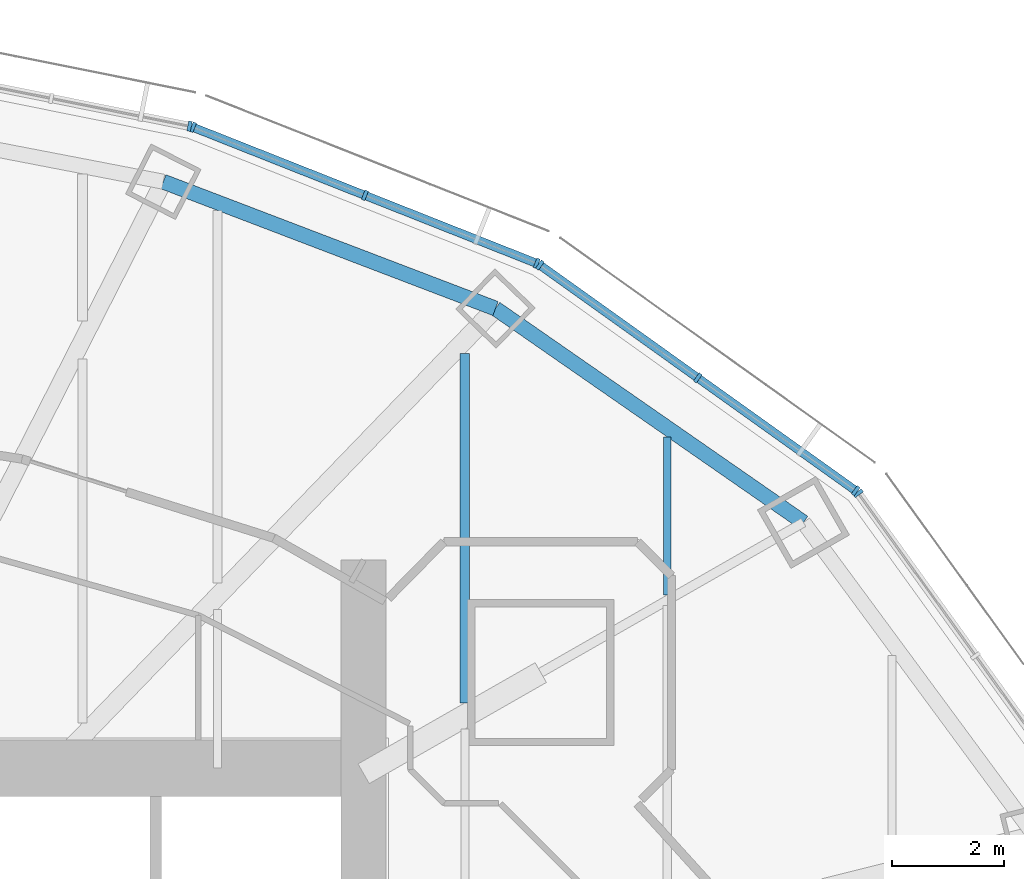
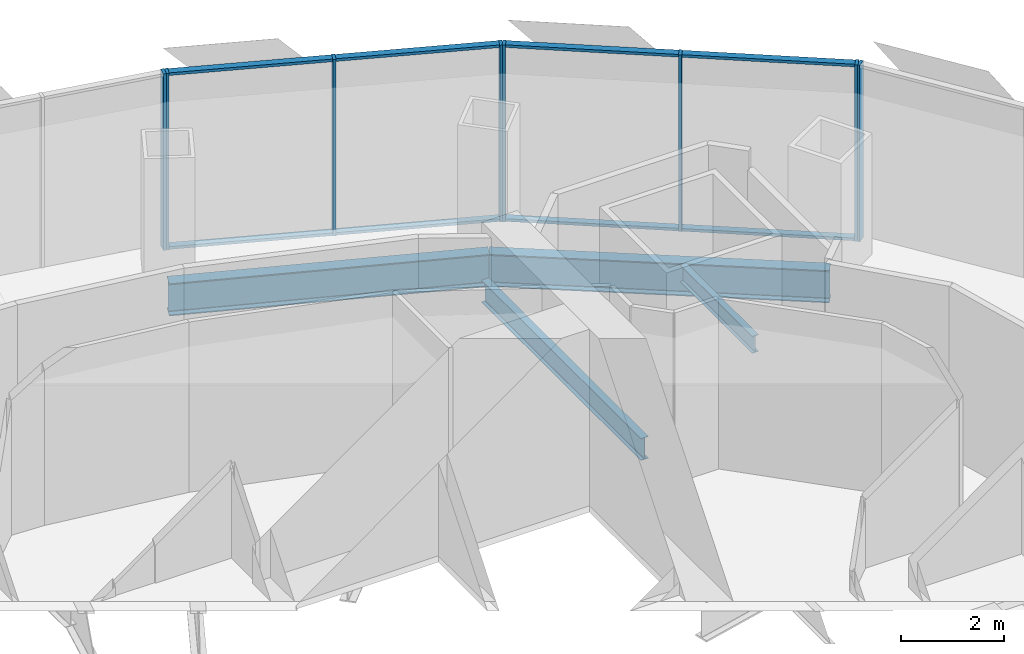
# One storey, part 9 of 18: 16 members, 4 beams, 4 elements without a shape of their own.
"""IFC4 building model written with IfcOpenShell, lengths in metres."""

import ifcopenshell
import ifcopenshell.guid

model = None  # the IFC model being written
_history = None  # IfcOwnerHistory: only IFC2X3 demands one
_inside = {}  # id of a spatial element -> (the spatial element, [elements in it])
_under = {}  # id of a project, library or spatial element -> (it, [spatial elements below it])
_declared = {}  # id of a project -> (the project, [libraries it declares])
_typed = {}  # id of a type object -> (the type object, [elements of that type])
_made_of = {}  # id of a material, layer set ... -> (it, [elements and type objects made of it])


def new_model(schema):
    """Start an empty IFC model of exactly this schema.

    Asked for "IFC4X3", IfcOpenShell would pick the latest addendum, in which some entities
    have other attributes; the version numbers below select the first issue.
    IFC2X3 requires an IfcOwnerHistory on every rooted entity: one is made here for all.
    """
    global model, _history
    if schema == "IFC4X3":
        model = ifcopenshell.file(schema_version=(4, 3, 0, 0))
    else:
        model = ifcopenshell.file(schema=schema)
    _inside.clear()
    _under.clear()
    _declared.clear()
    _typed.clear()
    _made_of.clear()
    _history = None
    if model.schema == "IFC2X3":
        org = make("IfcOrganization", Name="unknown")
        user = make(
            "IfcPersonAndOrganization",
            ThePerson=make("IfcPerson", FamilyName="unknown"),
            TheOrganization=org,
        )
        app = make(
            "IfcApplication",
            ApplicationDeveloper=org,
            Version="unknown",
            ApplicationFullName="unknown",
            ApplicationIdentifier="unknown",
        )
        _history = make(
            "IfcOwnerHistory",
            OwningUser=user,
            OwningApplication=app,
            ChangeAction="ADDED",
            CreationDate=0,
        )
    return model


def make(cls, **values):
    """One entity of the class cls with the attributes given. An attribute that is None is left unset."""
    return model.create_entity(
        cls, **{name: value for name, value in values.items() if value is not None}
    )


def rooted(cls, **values):
    """An entity with a GlobalId (a new one), such as an element, a storey or a relation."""
    return make(cls, GlobalId=ifcopenshell.guid.new(), OwnerHistory=_history, **values)


def si_unit(unit_type, name, prefix=None):
    """IfcSIUnit, for example si_unit("LENGTHUNIT", "METRE", prefix="MILLI")."""
    return make("IfcSIUnit", UnitType=unit_type, Prefix=prefix, Name=name)


def assignment(units):
    """IfcUnitAssignment: the units of a project."""
    return None if units is None else make("IfcUnitAssignment", Units=units)


def point(xyz):
    """IfcCartesianPoint."""
    return None if xyz is None else make("IfcCartesianPoint", Coordinates=xyz)


def direction(xyz):
    """IfcDirection."""
    return None if xyz is None else make("IfcDirection", DirectionRatios=xyz)


def frame(location, z_axis=None, x_axis=None):
    """IfcAxis2Placement3D, a coordinate frame: its origin and axes. An axis left out is left unset."""
    return make(
        "IfcAxis2Placement3D",
        Location=point(location),
        Axis=direction(z_axis),
        RefDirection=direction(x_axis),
    )


def frame_2d(location, x_axis=None):
    """IfcAxis2Placement2D, a coordinate frame in the plane: its origin and x axis."""
    return make(
        "IfcAxis2Placement2D", Location=point(location), RefDirection=direction(x_axis)
    )


def origin():
    """The frame at (0, 0, 0) with its axes left unset."""
    return frame((0.0, 0.0, 0.0))


def origin_2d():
    """The frame at (0, 0) in the plane with its x axis left unset."""
    return frame_2d((0.0, 0.0))


def place(relative_to, where):
    """IfcLocalPlacement: puts the frame where relative to a parent placement (None: the world)."""
    return make(
        "IfcLocalPlacement", PlacementRelTo=relative_to, RelativePlacement=where
    )


def context(
    kind, dimensions, precision=None, world=None, true_north=None, identifier=None
):
    """IfcGeometricRepresentationContext, for example the 3D "Model" context."""
    return make(
        "IfcGeometricRepresentationContext",
        ContextIdentifier=identifier,
        ContextType=kind,
        CoordinateSpaceDimension=dimensions,
        Precision=precision,
        WorldCoordinateSystem=world,
        TrueNorth=true_north,
    )


def subcontext(parent, identifier, kind, view, scale=None):
    """IfcGeometricRepresentationSubContext, for example "Body" below "Model"."""
    return make(
        "IfcGeometricRepresentationSubContext",
        ContextIdentifier=identifier,
        ContextType=kind,
        ParentContext=parent,
        TargetScale=scale,
        TargetView=view,
    )


def project(units=None, contexts=None):
    """IfcProject with its units and contexts."""
    return rooted(
        "IfcProject",
        Name="project",
        RepresentationContexts=contexts,
        UnitsInContext=assignment(units),
    )


def spatial(cls, under=None, at=None, **own):
    """A site, building, storey or space (cls), placed at a placement, below another one or the project."""
    s = rooted(cls, ObjectPlacement=at, **own)
    if under is not None:
        _under.setdefault(under.id(), (under, []))[1].append(s)
    return s


def profile(cls, at=None, kind="AREA", **sizes):
    """A parametric profile (cls). Its sizes go by their IFC names, for example OverallWidth=200.0."""
    return make(cls, ProfileType=kind, Position=at, **sizes)


def rectangle(**sizes):
    """IfcRectangleProfileDef."""
    return profile("IfcRectangleProfileDef", **sizes)


def i_section(**sizes):
    """IfcIShapeProfileDef."""
    return profile("IfcIShapeProfileDef", **sizes)


def extrude(swept, where, along, depth):
    """IfcExtrudedAreaSolid: the profile swept, set in the frame where, extruded along a direction by depth."""
    return make(
        "IfcExtrudedAreaSolid",
        SweptArea=swept,
        Position=where,
        ExtrudedDirection=direction(along),
        Depth=depth,
    )


def shape(context_of_items, identifier, shape_type, items):
    """IfcShapeRepresentation: the items that make up one representation, for example the "Body"."""
    return make(
        "IfcShapeRepresentation",
        ContextOfItems=context_of_items,
        RepresentationIdentifier=identifier,
        RepresentationType=shape_type,
        Items=items,
    )


def material(Name=None, Category=None):
    """IfcMaterial."""
    return make("IfcMaterial", Name=Name, Category=Category)


def material_profile(
    of_material, cross_section, Name=None, Category=None, Priority=None
):
    """IfcMaterialProfile: a cross section and its material."""
    return make(
        "IfcMaterialProfile",
        Name=Name,
        Material=of_material,
        Profile=cross_section,
        Priority=Priority,
        Category=Category,
    )


def profile_set(profiles, Name=None, composite=None):
    """IfcMaterialProfileSet."""
    return make(
        "IfcMaterialProfileSet",
        Name=Name,
        MaterialProfiles=profiles,
        CompositeProfile=composite,
    )


def made_of(thing, what):
    """Note that an element or type object is made of a material, layer set ...; save() writes the relation."""
    if what is not None:
        _made_of.setdefault(what.id(), (what, []))[1].append(thing)
    return thing


def type_object(cls, material=None, **own):
    """A type object (cls), such as IfcWallType, which elements share."""
    return made_of(rooted(cls, **own), material)


def element(
    cls,
    number,
    at=None,
    inside=None,
    cuts=None,
    type_object=None,
    material=None,
    context=None,
    identifier="Body",
    shape_type=None,
    held_by="IfcProductDefinitionShape",
    body=None,
    shapes=None,
    **own,
):
    """One element of the class cls, such as IfcWall. Its Tag is "e" and its number.

    at: its placement. inside: the storey or other place that contains it. cuts: it is an
    opening in that element (IfcRelVoidsElement). A single representation is given by context,
    identifier, shape_type and body (its items); several are given by shapes. held_by: the class
    of the entity that holds the representations. save() writes the other relations.
    """
    e = rooted(cls, Tag="e%d" % number, ObjectPlacement=at, **own)
    if body is not None:
        shapes = [shape(context, identifier, shape_type, body)]
    if shapes is not None:
        e.Representation = make(held_by, Representations=shapes)
    if inside is not None:
        _inside.setdefault(inside.id(), (inside, []))[1].append(e)
    if cuts is not None:
        rooted(
            "IfcRelVoidsElement", RelatingBuildingElement=cuts, RelatedOpeningElement=e
        )
    if type_object is not None:
        _typed.setdefault(type_object.id(), (type_object, []))[1].append(e)
    return made_of(e, material)


def aggregate(whole, parts):
    """IfcRelAggregates: a whole, such as a stair, and the parts it consists of."""
    return rooted("IfcRelAggregates", RelatingObject=whole, RelatedObjects=parts)


def save(model, path):
    """Write the relations noted so far, then the file.

    IfcRelAggregates (storeys below a building ...), IfcRelContainedInSpatialStructure (elements
    in a storey), IfcRelDefinesByType, IfcRelAssociatesMaterial and IfcRelDeclares: one each for
    every whole, place, type object, material and project.
    """
    for whole, parts in _under.values():
        aggregate(whole, parts)
    for where, things in _inside.values():
        rooted(
            "IfcRelContainedInSpatialStructure",
            RelatedElements=things,
            RelatingStructure=where,
        )
    for kind, things in _typed.values():
        rooted("IfcRelDefinesByType", RelatedObjects=things, RelatingType=kind)
    for what, things in _made_of.values():
        rooted("IfcRelAssociatesMaterial", RelatedObjects=things, RelatingMaterial=what)
    for by, libraries in _declared.values():
        rooted("IfcRelDeclares", RelatingContext=by, RelatedDefinitions=libraries)
    model.write(path)


model = new_model("IFC4")

# Units and contexts
model_context = context("Model", 3, precision=1e-05, world=origin(), true_north=direction((0.0, 1.0)))
body_context = subcontext(model_context, "Body", "Model", "MODEL_VIEW")
ifc_project = project(units=[si_unit("LENGTHUNIT", "METRE"), si_unit("AREAUNIT", "SQUARE_METRE"), si_unit("VOLUMEUNIT", "CUBIC_METRE"), si_unit("PLANEANGLEUNIT", "RADIAN"), si_unit("MASSUNIT", "GRAM", prefix="KILO")], contexts=[model_context])

# Site, building, storey
site_placement = place(None, origin())
site = spatial("IfcSite", under=ifc_project, at=site_placement, CompositionType="ELEMENT")
building_placement = place(site_placement, origin())
building = spatial("IfcBuilding", under=site, at=building_placement, Name="Lantaw Convention Tower", CompositionType="ELEMENT")
storey_placement = place(building_placement, frame((0.0, 0.0, 262.0)))
storey = spatial("IfcBuildingStorey", under=building, at=storey_placement, Name="L61", CompositionType="ELEMENT", Elevation=262.0)

# Beams
ifc_material_1 = material(Name="Steel ASTM A992", Category="steel")
ifc_material_profile_1 = material_profile(ifc_material_1, i_section(OverallWidth=0.2666015625, OverallDepth=0.76953125, WebThickness=0.015625, FlangeThickness=0.025390625, FilletRadius=0.0126953125, at=origin_2d()), Name="W30X132")
ifc_profile_set_1 = profile_set([ifc_material_profile_1], Name="Steel ASTM A992")
beam_type_1 = type_object("IfcBeamType", Name="Beam E W30X132", PredefinedType="SPANDREL", material=ifc_profile_set_1)
beam_1_placement = place(storey_placement, frame((20.423095703125, 11.67041015625, -0.534912109375), z_axis=(-0.82135329406, 0.570419815869, 0.0), x_axis=(-0.570419815869, -0.82135329406, 0.0)))
element("IfcBeam", 1, at=beam_1_placement, inside=storey, type_object=beam_type_1, Name="Edge beam 3", PredefinedType="SPANDREL", context=body_context, shape_type="SweptSolid", body=[
    extrude(i_section(OverallWidth=0.2666015625, OverallDepth=0.76953125, WebThickness=0.015625, FlangeThickness=0.025390625, FilletRadius=0.0126953125, at=origin_2d()), origin(), (0.0, 0.0, 1.0), 6.67041015625),
])
beam_2_placement = place(storey_placement, frame((14.9443359375, 15.475341796875, -0.534912109375), z_axis=(-0.934234988, 0.356658081637, 0.0), x_axis=(-0.356658081637, -0.934234988, 0.0)))
element("IfcBeam", 2, at=beam_2_placement, inside=storey, type_object=beam_type_1, Name="Edge beam 4", PredefinedType="SPANDREL", context=body_context, shape_type="SweptSolid", body=[
    extrude(i_section(OverallWidth=0.2666015625, OverallDepth=0.76953125, WebThickness=0.015625, FlangeThickness=0.025390625, FilletRadius=0.0126953125, at=origin_2d()), origin(), (0.0, 0.0, 1.0), 6.32568359375),
])
ifc_material_profile_2 = material_profile(ifc_material_1, i_section(OverallWidth=0.140380859375, OverallDepth=0.40380859375, WebThickness=0.007080078125, FlangeThickness=0.01123046875, FilletRadius=0.01025390625, at=origin_2d()), Name="W16X31")
ifc_profile_set_2 = profile_set([ifc_material_profile_2], Name="Steel ASTM A992")
beam_type_2 = type_object("IfcBeamType", Name="Beam J W16X31", PredefinedType="JOIST", material=ifc_profile_set_2)
beam_3_placement = place(storey_placement, frame((18.0, 10.380859375, -0.35205078125), z_axis=(0.0, 1.0, 0.0), x_axis=(-1.0, 0.0, 0.0)))
element("IfcBeam", 3, at=beam_3_placement, inside=storey, type_object=beam_type_2, Name="Floor joist", PredefinedType="JOIST", context=body_context, shape_type="SweptSolid", body=[
    extrude(i_section(OverallWidth=0.140380859375, OverallDepth=0.40380859375, WebThickness=0.007080078125, FlangeThickness=0.01123046875, FilletRadius=0.01025390625, at=origin_2d()), origin(), (0.0, 0.0, 1.0), 2.81005859375),
])
ifc_material_profile_3 = material_profile(ifc_material_1, i_section(OverallWidth=0.1650390625, OverallDepth=0.52587890625, WebThickness=0.0087890625, FlangeThickness=0.011474609375, FilletRadius=0.0126953125, at=origin_2d()), Name="W21X44")
ifc_profile_set_3 = profile_set([ifc_material_profile_3], Name="Steel ASTM A992")
beam_type_3 = type_object("IfcBeamType", Name="Beam J W21X44", PredefinedType="JOIST", material=ifc_profile_set_3)
beam_4_placement = place(storey_placement, frame((14.39990234375, 8.461181640625, -0.412841796875), z_axis=(0.0, 1.0, 0.0), x_axis=(-1.0, 0.0, 0.0)))
element("IfcBeam", 4, at=beam_4_placement, inside=storey, type_object=beam_type_3, Name="Floor joist", PredefinedType="JOIST", context=body_context, shape_type="SweptSolid", body=[
    extrude(i_section(OverallWidth=0.1650390625, OverallDepth=0.52587890625, WebThickness=0.0087890625, FlangeThickness=0.011474609375, FilletRadius=0.0126953125, at=origin_2d()), origin(), (0.0, 0.0, 1.0), 6.214599609375),
])

# Curtain wall, member
ifc_material_2 = material(Name="Aluminium framed curtain wall", Category="aluminium")
curtain_wall_type = type_object("IfcCurtainWallType", Name="Office curtain wall high rise, pale aluminium", PredefinedType="USERDEFINED", material=ifc_material_2)
curtain_wall_1_placement = place(storey_placement, origin())
curtain_wall_1 = element("IfcCurtainWall", 5, at=curtain_wall_1_placement, inside=storey, type_object=curtain_wall_type, Name="Office curtain wall high rise, pale aluminium L61", ObjectType="UNITISED CURTAIN WALL", PredefinedType="USERDEFINED")
ifc_material_3 = material(Name="Aluminium 6063-T6", Category="aluminium")
ifc_material_profile_4 = material_profile(ifc_material_3, rectangle(XDim=0.179931640625, YDim=0.06494140625, at=origin_2d()), Name="CW-O2 mullion 65x180")
ifc_profile_set_4 = profile_set([ifc_material_profile_4], Name="Aluminium 6063-T6")
member_type_1 = type_object("IfcMemberType", Name="CW-O2 mullion 65x180", PredefinedType="MULLION", material=ifc_profile_set_4)
member_1_placement = place(storey_placement, frame((21.397216796875, 12.189697265625, -0.14990234375), z_axis=(0.0, 0.0, 1.0), x_axis=(-0.810919559405, -0.585157643865, 0.0)))
member_1 = element("IfcMember", 6, at=member_1_placement, type_object=member_type_1, Name="CW-O2 mullion 3", PredefinedType="MULLION", context=body_context, shape_type="SweptSolid", body=[
    extrude(rectangle(XDim=0.179931640625, YDim=0.06494140625, at=origin_2d()), origin(), (0.0, 0.0, 1.0), 4.199951171875),
])
aggregate(curtain_wall_1, [member_1])

# Curtain wall, members
curtain_wall_2_placement = place(storey_placement, origin())
curtain_wall_2 = element("IfcCurtainWall", 7, at=curtain_wall_2_placement, inside=storey, type_object=curtain_wall_type, Name="Office curtain wall high rise, pale aluminium L61", ObjectType="UNITISED CURTAIN WALL", PredefinedType="USERDEFINED")
member_2_placement = place(storey_placement, frame((21.3515625, 12.23486328125, -0.14990234375), z_axis=(0.0, 0.0, 1.0), x_axis=(-0.581323487281, -0.813672540482, 0.0)))
member_2 = element("IfcMember", 8, at=member_2_placement, type_object=member_type_1, Name="CW-O2 mullion 1", PredefinedType="MULLION", context=body_context, shape_type="SweptSolid", body=[
    extrude(rectangle(XDim=0.179931640625, YDim=0.06494140625, at=origin_2d()), origin(), (0.0, 0.0, 1.0), 4.199951171875),
])
member_3_placement = place(storey_placement, frame((18.543212890625, 14.241455078125, -0.14990234375), z_axis=(0.0, 0.0, 1.0), x_axis=(-0.581323487281, -0.813672540482, 0.0)))
member_3 = element("IfcMember", 9, at=member_3_placement, type_object=member_type_1, Name="CW-O2 mullion 2", PredefinedType="MULLION", context=body_context, shape_type="SweptSolid", body=[
    extrude(rectangle(XDim=0.179931640625, YDim=0.06494140625, at=origin_2d()), origin(), (0.0, 0.0, 1.0), 4.199951171875),
])
member_4_placement = place(storey_placement, frame((15.73486328125, 16.247802734375, -0.14990234375), z_axis=(0.0, 0.0, 1.0), x_axis=(-0.581323487281, -0.813672540482, 0.0)))
member_4 = element("IfcMember", 10, at=member_4_placement, type_object=member_type_1, Name="CW-O2 mullion 3", PredefinedType="MULLION", context=body_context, shape_type="SweptSolid", body=[
    extrude(rectangle(XDim=0.179931640625, YDim=0.06494140625, at=origin_2d()), origin(), (0.0, 0.0, 1.0), 4.199951171875),
])

curtain_wall_3_placement = place(storey_placement, origin())
curtain_wall_3 = element("IfcCurtainWall", 11, at=curtain_wall_3_placement, inside=storey, type_object=curtain_wall_type, Name="Office curtain wall high rise, pale aluminium L61", ObjectType="UNITISED CURTAIN WALL", PredefinedType="USERDEFINED")
member_5_placement = place(storey_placement, frame((15.67822265625, 16.278564453125, -0.14990234375), z_axis=(0.0, 0.0, 1.0), x_axis=(-0.368162315252, -0.929761533743, 0.0)))
member_5 = element("IfcMember", 12, at=member_5_placement, type_object=member_type_1, Name="CW-O2 mullion 1", PredefinedType="MULLION", context=body_context, shape_type="SweptSolid", body=[
    extrude(rectangle(XDim=0.179931640625, YDim=0.06494140625, at=origin_2d()), origin(), (0.0, 0.0, 1.0), 4.199951171875),
])
member_6_placement = place(storey_placement, frame((12.621337890625, 17.4892578125, -0.14990234375), z_axis=(0.0, 0.0, 1.0), x_axis=(-0.368162315252, -0.929761533743, 0.0)))
member_6 = element("IfcMember", 13, at=member_6_placement, type_object=member_type_1, Name="CW-O2 mullion 2", PredefinedType="MULLION", context=body_context, shape_type="SweptSolid", body=[
    extrude(rectangle(XDim=0.179931640625, YDim=0.06494140625, at=origin_2d()), origin(), (0.0, 0.0, 1.0), 4.199951171875),
])
member_7_placement = place(storey_placement, frame((9.564208984375, 18.69970703125, -0.14990234375), z_axis=(0.0, 0.0, 1.0), x_axis=(-0.368162315252, -0.929761533743, 0.0)))
member_7 = element("IfcMember", 14, at=member_7_placement, type_object=member_type_1, Name="CW-O2 mullion 3", PredefinedType="MULLION", context=body_context, shape_type="SweptSolid", body=[
    extrude(rectangle(XDim=0.179931640625, YDim=0.06494140625, at=origin_2d()), origin(), (0.0, 0.0, 1.0), 4.199951171875),
])

# Curtain wall, member
curtain_wall_4_placement = place(storey_placement, origin())
curtain_wall_4 = element("IfcCurtainWall", 15, at=curtain_wall_4_placement, inside=storey, type_object=curtain_wall_type, Name="Office curtain wall high rise, pale aluminium L61", ObjectType="UNITISED CURTAIN WALL", PredefinedType="USERDEFINED")
member_8_placement = place(storey_placement, frame((9.502197265625, 18.718017578125, -0.14990234375), z_axis=(0.0, 0.0, 1.0), x_axis=(-0.197183095987, -0.980366679695, 0.0)))
member_8 = element("IfcMember", 16, at=member_8_placement, type_object=member_type_1, Name="CW-O2 mullion 1", PredefinedType="MULLION", context=body_context, shape_type="SweptSolid", body=[
    extrude(rectangle(XDim=0.179931640625, YDim=0.06494140625, at=origin_2d()), origin(), (0.0, 0.0, 1.0), 4.199951171875),
])
aggregate(curtain_wall_4, [member_8])

# Member
ifc_material_profile_5 = material_profile(ifc_material_3, rectangle(XDim=0.14990234375, YDim=0.06494140625, at=origin_2d()), Name="CW-O2 transom 65x150")
ifc_profile_set_5 = profile_set([ifc_material_profile_5], Name="Aluminium 6063-T6")
member_type_2 = type_object("IfcMemberType", Name="CW-O2 transom 65x150", PredefinedType="USERDEFINED", material=ifc_profile_set_5)
member_9_placement = place(storey_placement, frame((21.3251953125, 12.25390625, -0.117431640625), z_axis=(-0.813679882592, 0.581313210468, 0.0), x_axis=(-0.581313210468, -0.813679882592, 0.0)))
member_9 = element("IfcMember", 17, at=member_9_placement, type_object=member_type_2, Name="CW-O2 transom 1.1", ObjectType="TRANSOM", PredefinedType="USERDEFINED", context=body_context, shape_type="SweptSolid", body=[
    extrude(rectangle(XDim=0.14990234375, YDim=0.06494140625, at=origin_2d()), origin(), (0.0, 0.0, 1.0), 3.38623046875),
])

member_10_placement = place(storey_placement, frame((21.3251953125, 12.25390625, 4.017578125), z_axis=(-0.813679882592, 0.581313210468, 0.0), x_axis=(-0.581313210468, -0.813679882592, 0.0)))
member_10 = element("IfcMember", 18, at=member_10_placement, type_object=member_type_2, Name="CW-O2 transom 1.2", ObjectType="TRANSOM", PredefinedType="USERDEFINED", context=body_context, shape_type="SweptSolid", body=[
    extrude(rectangle(XDim=0.14990234375, YDim=0.06494140625, at=origin_2d()), origin(), (0.0, 0.0, 1.0), 3.38623046875),
])

member_11_placement = place(storey_placement, frame((18.516845703125, 14.26025390625, -0.117431640625), z_axis=(-0.813645780821, 0.581360940683, 0.0), x_axis=(-0.581360940683, -0.813645780821, 0.0)))
member_11 = element("IfcMember", 19, at=member_11_placement, type_object=member_type_2, Name="CW-O2 transom 2.1", ObjectType="TRANSOM", PredefinedType="USERDEFINED", context=body_context, shape_type="SweptSolid", body=[
    extrude(rectangle(XDim=0.14990234375, YDim=0.06494140625, at=origin_2d()), origin(), (0.0, 0.0, 1.0), 3.386474609375),
])

member_12_placement = place(storey_placement, frame((18.516845703125, 14.26025390625, 4.017578125), z_axis=(-0.813645780821, 0.581360940683, 0.0), x_axis=(-0.581360940683, -0.813645780821, 0.0)))
member_12 = element("IfcMember", 20, at=member_12_placement, type_object=member_type_2, Name="CW-O2 transom 2.2", ObjectType="TRANSOM", PredefinedType="USERDEFINED", context=body_context, shape_type="SweptSolid", body=[
    extrude(rectangle(XDim=0.14990234375, YDim=0.06494140625, at=origin_2d()), origin(), (0.0, 0.0, 1.0), 3.386474609375),
])

aggregate(curtain_wall_2, [member_2, member_3, member_4, member_9, member_10, member_11, member_12])

member_13_placement = place(storey_placement, frame((15.648193359375, 16.29052734375, -0.117431640625), z_axis=(-0.929740712354, 0.368214893495, 0.0), x_axis=(-0.368214893495, -0.929740712354, 0.0)))
member_13 = element("IfcMember", 21, at=member_13_placement, type_object=member_type_2, Name="CW-O2 transom 1.1", ObjectType="TRANSOM", PredefinedType="USERDEFINED", context=body_context, shape_type="SweptSolid", body=[
    extrude(rectangle(XDim=0.14990234375, YDim=0.06494140625, at=origin_2d()), origin(), (0.0, 0.0, 1.0), 3.22314453125),
])

member_14_placement = place(storey_placement, frame((15.648193359375, 16.29052734375, 4.017578125), z_axis=(-0.929740712354, 0.368214893495, 0.0), x_axis=(-0.368214893495, -0.929740712354, 0.0)))
member_14 = element("IfcMember", 22, at=member_14_placement, type_object=member_type_2, Name="CW-O2 transom 1.2", ObjectType="TRANSOM", PredefinedType="USERDEFINED", context=body_context, shape_type="SweptSolid", body=[
    extrude(rectangle(XDim=0.14990234375, YDim=0.06494140625, at=origin_2d()), origin(), (0.0, 0.0, 1.0), 3.22314453125),
])

member_15_placement = place(storey_placement, frame((12.591064453125, 17.501220703125, -0.117431640625), z_axis=(-0.929766642946, 0.368149412149, 0.0), x_axis=(-0.368149412149, -0.929766642946, 0.0)))
member_15 = element("IfcMember", 23, at=member_15_placement, type_object=member_type_2, Name="CW-O2 transom 2.1", ObjectType="TRANSOM", PredefinedType="USERDEFINED", context=body_context, shape_type="SweptSolid", body=[
    extrude(rectangle(XDim=0.14990234375, YDim=0.06494140625, at=origin_2d()), origin(), (0.0, 0.0, 1.0), 3.222900390625),
])

member_16_placement = place(storey_placement, frame((12.591064453125, 17.501220703125, 4.017578125), z_axis=(-0.929766642946, 0.368149412149, 0.0), x_axis=(-0.368149412149, -0.929766642946, 0.0)))
member_16 = element("IfcMember", 24, at=member_16_placement, type_object=member_type_2, Name="CW-O2 transom 2.2", ObjectType="TRANSOM", PredefinedType="USERDEFINED", context=body_context, shape_type="SweptSolid", body=[
    extrude(rectangle(XDim=0.14990234375, YDim=0.06494140625, at=origin_2d()), origin(), (0.0, 0.0, 1.0), 3.222900390625),
])

aggregate(curtain_wall_3, [member_5, member_6, member_7, member_13, member_14, member_15, member_16])

save(model, "model.ifc")
